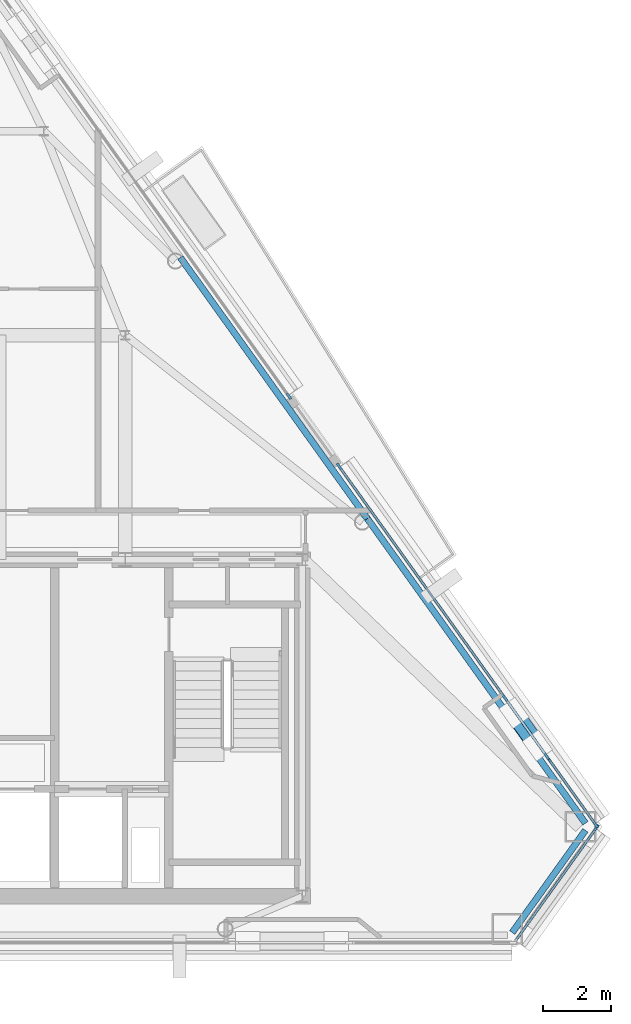
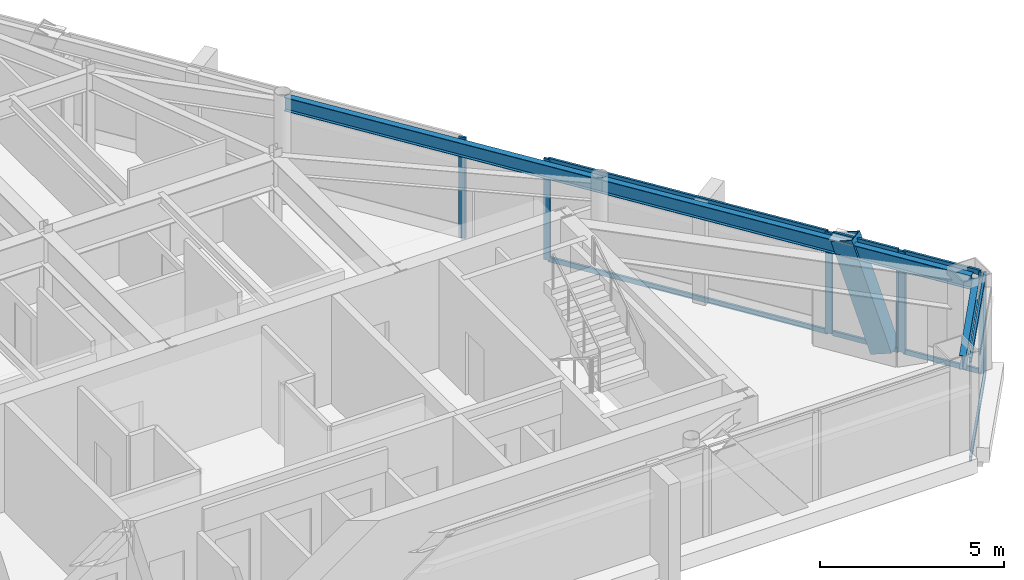
# One storey, part 6 of 12: 16 members, 3 beams, 5 elements without a shape of their own.
"""IFC4 building model written with IfcOpenShell, lengths in metres."""

from ifc_helpers import new_model, si_unit, direction, frame, origin, origin_2d, place, context, subcontext, project, spatial, rectangle, hollow_rectangle, i_section, extrude, material, layer, layer_set, material_profile, profile_set, type_object, element, aggregate, save


model = new_model("IFC4")

# Units and contexts
model_context = context("Model", 3, precision=1e-05, world=origin(), true_north=direction((0.0, 1.0)))
body_context = subcontext(model_context, "Body", "Model", "MODEL_VIEW")
ifc_project = project(units=[si_unit("LENGTHUNIT", "METRE"), si_unit("AREAUNIT", "SQUARE_METRE"), si_unit("VOLUMEUNIT", "CUBIC_METRE"), si_unit("PLANEANGLEUNIT", "RADIAN"), si_unit("MASSUNIT", "GRAM", prefix="KILO")], contexts=[model_context])

# Site, building, storey
site_placement = place(None, origin())
site = spatial("IfcSite", under=ifc_project, at=site_placement, CompositionType="ELEMENT")
building_placement = place(site_placement, origin())
building = spatial("IfcBuilding", under=site, at=building_placement, Name="Talgorran Terracotta Tower", CompositionType="ELEMENT")
storey_placement = place(building_placement, frame((0.0, 0.0, 249.0)))
storey = spatial("IfcBuildingStorey", under=building, at=storey_placement, Name="L65", CompositionType="ELEMENT", Elevation=249.0)

# Beams
ifc_material_1 = material(Name="Steel S355 (300PLUS)", Category="steel")
ifc_material_profile_1 = material_profile(ifc_material_1, i_section(OverallWidth=0.18994140625, OverallDepth=0.45703125, WebThickness=0.009033203125, FlangeThickness=0.014404296875, at=origin_2d()), Name="460UB74.6")
ifc_profile_set_1 = profile_set([ifc_material_profile_1], Name="Steel S355 (300PLUS)")
beam_type = type_object("IfcBeamType", Name="BM_SP_460UB74", PredefinedType="SPANDREL", material=ifc_profile_set_1)
beam_1_placement = place(storey_placement, frame((18.578369140625, -15.168212890625, 3.116455078125), z_axis=(0.582224487769, 0.813028071989, 0.0), x_axis=(-0.813028071989, 0.582224487769, 0.0)))
element("IfcBeam", 1, at=beam_1_placement, inside=storey, type_object=beam_type, Name="L65 Perimeter Spandrel Beam MC3-MC4", PredefinedType="SPANDREL", context=body_context, shape_type="SweptSolid", body=[
    extrude(i_section(OverallWidth=0.18994140625, OverallDepth=0.45703125, WebThickness=0.009033203125, FlangeThickness=0.014404296875, at=origin_2d()), origin(), (0.0, 0.0, 1.0), 3.697998046875),
])
beam_2_placement = place(storey_placement, frame((20.7314453125, -11.951904296875, 3.116455078125), z_axis=(-0.58220828918, 0.813039671855, 0.0), x_axis=(-0.813039671855, -0.58220828918, 0.0)))
element("IfcBeam", 2, at=beam_2_placement, inside=storey, type_object=beam_type, Name="L65 Perimeter Spandrel Beam MC4-FC3", PredefinedType="SPANDREL", context=body_context, shape_type="SweptSolid", body=[
    extrude(i_section(OverallWidth=0.18994140625, OverallDepth=0.45703125, WebThickness=0.009033203125, FlangeThickness=0.014404296875, at=origin_2d()), origin(), (0.0, 0.0, 1.0), 11.017578125),
])
beam_3_placement = place(storey_placement, frame((14.31689453125, -2.994140625, 3.116455078125), z_axis=(-0.582203768418, 0.813042909102, 0.0), x_axis=(-0.813042909102, -0.582203768418, 0.0)))
element("IfcBeam", 3, at=beam_3_placement, inside=storey, type_object=beam_type, Name="L65 Perimeter Spandrel Beam FC3-FC4", PredefinedType="SPANDREL", context=body_context, shape_type="SweptSolid", body=[
    extrude(i_section(OverallWidth=0.18994140625, OverallDepth=0.45703125, WebThickness=0.009033203125, FlangeThickness=0.014404296875, at=origin_2d()), origin(), (0.0, 0.0, 1.0), 9.443603515625),
])

# Member
ifc_material_2 = material(Name="Steel Grade 350 (350L0)", Category="steel")
ifc_material_profile_2 = material_profile(ifc_material_2, hollow_rectangle(XDim=0.52001953125, YDim=0.659912109375, WallThickness=0.034912109375, at=origin_2d()), Name="WBOX660X520X35")
ifc_profile_set_2 = profile_set([ifc_material_profile_2], Name="Steel Grade 350 (350L0)")
member_type_1 = type_object("IfcMemberType", Name="MB_MEGA_660", PredefinedType="BRACE", material=ifc_profile_set_2)
member_1_placement = place(storey_placement, frame((19.318115234375, -9.6689453125, -0.02490234375), z_axis=(-0.191261638386, 0.267127849351, 0.944490178765), x_axis=(-0.813076438764, -0.582156941663, 0.0)))
element("IfcMember", 4, at=member_1_placement, inside=storey, type_object=member_type_1, Name="L65 Exterior Face Mega-Brace MB-3 (NEL)", PredefinedType="BRACE", context=body_context, shape_type="SweptSolid", body=[
    extrude(hollow_rectangle(XDim=0.52001953125, YDim=0.659912109375, WallThickness=0.034912109375, at=origin_2d()), origin(), (0.0, 0.0, 1.0), 3.594482421875),
])

# Curtain wall, member
ifc_material_3 = material(Name="High-Wind Unitised Glazing", Category="glass")
ifc_layer = layer(ifc_material_3, 0.2099609375, Name="CW_SYS3_RES_HIGH")
ifc_layer_set = layer_set([ifc_layer], Name="High-Wind Unitised Glazing")
curtain_wall_type = type_object("IfcCurtainWallType", Name="CW_SYS3_RES_HIGH", PredefinedType="NOTDEFINED", material=ifc_layer_set)
curtain_wall_1_placement = place(storey_placement, origin())
curtain_wall_1 = element("IfcCurtainWall", 5, at=curtain_wall_1_placement, inside=storey, type_object=curtain_wall_type, Name="CW-L65-F2", PredefinedType="NOTDEFINED")
ifc_material_4 = material(Name="Architectural Aluminium 6063-T6", Category="aluminium")
ifc_material_profile_3 = material_profile(ifc_material_4, rectangle(XDim=0.070068359375, YDim=0.199951171875, at=origin_2d()), Name="CWM70X200")
ifc_profile_set_3 = profile_set([ifc_material_profile_3], Name="Architectural Aluminium 6063-T6")
member_type_2 = type_object("IfcMemberType", Name="MUL_70X200", PredefinedType="MULLION", material=ifc_profile_set_3)
member_2_placement = place(storey_placement, frame((21.056640625, -12.085205078125, 0.0), z_axis=(0.0, 0.0, 1.0), x_axis=(-0.813031401137, 0.582219838862, 0.0)))
member_2 = element("IfcMember", 6, at=member_2_placement, type_object=member_type_2, Name="CW-L65-2 mullion 2", PredefinedType="MULLION", context=body_context, shape_type="SweptSolid", body=[
    extrude(rectangle(XDim=0.070068359375, YDim=0.199951171875, at=origin_2d()), origin(), (0.0, 0.0, 1.0), 3.344970703125),
])

# Curtain wall, members
curtain_wall_2_placement = place(storey_placement, origin())
curtain_wall_2 = element("IfcCurtainWall", 7, at=curtain_wall_2_placement, inside=storey, type_object=curtain_wall_type, Name="CW-L65-F40", PredefinedType="NOTDEFINED")
member_3_placement = place(storey_placement, frame((21.033447265625, -11.995849609375, 0.0), z_axis=(0.0, 0.0, 1.0), x_axis=(-0.813032113235, -0.582218844464, 0.0)))
member_3 = element("IfcMember", 8, at=member_3_placement, type_object=member_type_2, Name="CW-L65-40 mullion 1", PredefinedType="MULLION", context=body_context, shape_type="SweptSolid", body=[
    extrude(rectangle(XDim=0.070068359375, YDim=0.199951171875, at=origin_2d()), origin(), (0.0, 0.0, 1.0), 3.344970703125),
])
member_4_placement = place(storey_placement, frame((19.642578125, -10.0537109375, 0.0), z_axis=(0.0, 0.0, 1.0), x_axis=(-0.813032113235, -0.582218844464, 0.0)))
member_4 = element("IfcMember", 9, at=member_4_placement, type_object=member_type_2, Name="CW-L65-40 mullion 2", PredefinedType="MULLION", context=body_context, shape_type="SweptSolid", body=[
    extrude(rectangle(XDim=0.070068359375, YDim=0.199951171875, at=origin_2d()), origin(), (0.0, 0.0, 1.0), 3.344970703125),
])

# Curtain wall, member
curtain_wall_3_placement = place(storey_placement, origin())
curtain_wall_3 = element("IfcCurtainWall", 10, at=curtain_wall_3_placement, inside=storey, type_object=curtain_wall_type, Name="CW-L65-F40B", PredefinedType="NOTDEFINED")
member_5_placement = place(storey_placement, frame((19.59619140625, -9.988525390625, 0.0), z_axis=(0.0, 0.0, 1.0), x_axis=(-0.813045764946, -0.582199780234, 0.0)))
member_5 = element("IfcMember", 11, at=member_5_placement, type_object=member_type_2, Name="CW-L65-40B mullion 1", PredefinedType="MULLION", context=body_context, shape_type="SweptSolid", body=[
    extrude(rectangle(XDim=0.070068359375, YDim=0.199951171875, at=origin_2d()), origin(), (0.0, 0.0, 1.0), 3.344970703125),
])

# Curtain wall, members
curtain_wall_4_placement = place(storey_placement, origin())
curtain_wall_4 = element("IfcCurtainWall", 12, at=curtain_wall_4_placement, inside=storey, type_object=curtain_wall_type, Name="CW-L65-F40C", PredefinedType="NOTDEFINED")
member_6_placement = place(storey_placement, frame((18.370849609375, -8.277587890625, 0.0), z_axis=(0.0, 0.0, 1.0), x_axis=(-0.813040675402, -0.582206887748, 0.0)))
member_6 = element("IfcMember", 13, at=member_6_placement, type_object=member_type_2, Name="CW-L65-40C mullion 1", PredefinedType="MULLION", context=body_context, shape_type="SweptSolid", body=[
    extrude(rectangle(XDim=0.070068359375, YDim=0.199951171875, at=origin_2d()), origin(), (0.0, 0.0, 1.0), 3.344970703125),
])
member_7_placement = place(storey_placement, frame((13.484619140625, -1.453857421875, 0.0), z_axis=(0.0, 0.0, 1.0), x_axis=(-0.813040675402, -0.582206887748, 0.0)))
member_7 = element("IfcMember", 14, at=member_7_placement, type_object=member_type_2, Name="CW-L65-40C mullion 2", PredefinedType="MULLION", context=body_context, shape_type="SweptSolid", body=[
    extrude(rectangle(XDim=0.070068359375, YDim=0.199951171875, at=origin_2d()), origin(), (0.0, 0.0, 1.0), 3.344970703125),
])

# Curtain wall, member
curtain_wall_5_placement = place(storey_placement, origin())
curtain_wall_5 = element("IfcCurtainWall", 15, at=curtain_wall_5_placement, inside=storey, type_object=curtain_wall_type, Name="CW-L65-F41", PredefinedType="NOTDEFINED")
member_8_placement = place(storey_placement, frame((12.011474609375, 0.603271484375, 0.0), z_axis=(0.0, 0.0, 1.0), x_axis=(-0.813042343153, -0.582204558759, 0.0)))
member_8 = element("IfcMember", 16, at=member_8_placement, type_object=member_type_2, Name="CW-L65-41 mullion 1", PredefinedType="MULLION", context=body_context, shape_type="SweptSolid", body=[
    extrude(rectangle(XDim=0.070068359375, YDim=0.199951171875, at=origin_2d()), origin(), (0.0, 0.0, 1.0), 3.344970703125),
])
aggregate(curtain_wall_5, [member_8])

# Member
ifc_material_profile_4 = material_profile(ifc_material_4, rectangle(XDim=0.070068359375, YDim=0.159912109375, at=origin_2d()), Name="CWT70X160")
ifc_profile_set_4 = profile_set([ifc_material_profile_4], Name="Architectural Aluminium 6063-T6")
member_type_3 = type_object("IfcMemberType", Name="TRN_70X160", PredefinedType="USERDEFINED", material=ifc_profile_set_4)
member_9_placement = place(storey_placement, frame((18.678466796875, -15.406494140625, 0.034912109375), z_axis=(0.582184359595, 0.813056807021, 0.0), x_axis=(-0.813056807021, 0.582184359595, 0.0)))
member_9 = element("IfcMember", 17, at=member_9_placement, type_object=member_type_3, Name="CW-L65-2 transom 1.1", ObjectType="TRANSOM", PredefinedType="USERDEFINED", context=body_context, shape_type="SweptSolid", body=[
    extrude(rectangle(XDim=0.070068359375, YDim=0.159912109375, at=origin_2d()), origin(), (0.0, 0.0, 1.0), 4.050048828125),
])

member_10_placement = place(storey_placement, frame((18.678466796875, -15.406494140625, 3.31005859375), z_axis=(0.582184359595, 0.813056807021, 0.0), x_axis=(-0.813056807021, 0.582184359595, 0.0)))
member_10 = element("IfcMember", 18, at=member_10_placement, type_object=member_type_3, Name="CW-L65-2 transom 1.2", ObjectType="TRANSOM", PredefinedType="USERDEFINED", context=body_context, shape_type="SweptSolid", body=[
    extrude(rectangle(XDim=0.070068359375, YDim=0.159912109375, at=origin_2d()), origin(), (0.0, 0.0, 1.0), 4.050048828125),
])

aggregate(curtain_wall_1, [member_2, member_9, member_10])

member_11_placement = place(storey_placement, frame((21.012939453125, -11.96728515625, 0.034912109375), z_axis=(-0.582164109552, 0.813071306559, 0.0), x_axis=(-0.813071306559, -0.582164109552, 0.0)))
member_11 = element("IfcMember", 19, at=member_11_placement, type_object=member_type_3, Name="CW-L65-40 transom 1.1", ObjectType="TRANSOM", PredefinedType="USERDEFINED", context=body_context, shape_type="SweptSolid", body=[
    extrude(rectangle(XDim=0.070068359375, YDim=0.159912109375, at=origin_2d()), origin(), (0.0, 0.0, 1.0), 2.318603515625),
])

member_12_placement = place(storey_placement, frame((21.012939453125, -11.96728515625, 3.31005859375), z_axis=(-0.582164109552, 0.813071306559, 0.0), x_axis=(-0.813071306559, -0.582164109552, 0.0)))
member_12 = element("IfcMember", 20, at=member_12_placement, type_object=member_type_3, Name="CW-L65-40 transom 1.2", ObjectType="TRANSOM", PredefinedType="USERDEFINED", context=body_context, shape_type="SweptSolid", body=[
    extrude(rectangle(XDim=0.070068359375, YDim=0.159912109375, at=origin_2d()), origin(), (0.0, 0.0, 1.0), 2.318603515625),
])

aggregate(curtain_wall_2, [member_3, member_4, member_11, member_12])

member_13_placement = place(storey_placement, frame((19.57568359375, -9.960205078125, 0.034912109375), z_axis=(-0.582206680135, 0.813040824071, 0.0), x_axis=(-0.813040824071, -0.582206680135, 0.0)))
member_13 = element("IfcMember", 21, at=member_13_placement, type_object=member_type_3, Name="CW-L65-40B transom 1.1", ObjectType="TRANSOM", PredefinedType="USERDEFINED", context=body_context, shape_type="SweptSolid", body=[
    extrude(rectangle(XDim=0.070068359375, YDim=0.159912109375, at=origin_2d()), origin(), (0.0, 0.0, 1.0), 1.95458984375),
])

member_14_placement = place(storey_placement, frame((19.57568359375, -9.960205078125, 3.31005859375), z_axis=(-0.582206680135, 0.813040824071, 0.0), x_axis=(-0.813040824071, -0.582206680135, 0.0)))
member_14 = element("IfcMember", 22, at=member_14_placement, type_object=member_type_3, Name="CW-L65-40B transom 1.2", ObjectType="TRANSOM", PredefinedType="USERDEFINED", context=body_context, shape_type="SweptSolid", body=[
    extrude(rectangle(XDim=0.070068359375, YDim=0.159912109375, at=origin_2d()), origin(), (0.0, 0.0, 1.0), 1.95458984375),
])

aggregate(curtain_wall_3, [member_5, member_13, member_14])

member_15_placement = place(storey_placement, frame((18.3505859375, -8.2490234375, 0.034912109375), z_axis=(-0.582225615132, 0.813027264662, 0.0), x_axis=(-0.813027264662, -0.582225615132, 0.0)))
member_15 = element("IfcMember", 23, at=member_15_placement, type_object=member_type_3, Name="CW-L65-40C transom 1.1", ObjectType="TRANSOM", PredefinedType="USERDEFINED", context=body_context, shape_type="SweptSolid", body=[
    extrude(rectangle(XDim=0.070068359375, YDim=0.159912109375, at=origin_2d()), origin(), (0.0, 0.0, 1.0), 8.32275390625),
])

member_16_placement = place(storey_placement, frame((18.3505859375, -8.2490234375, 3.31005859375), z_axis=(-0.582225615132, 0.813027264662, 0.0), x_axis=(-0.813027264662, -0.582225615132, 0.0)))
member_16 = element("IfcMember", 24, at=member_16_placement, type_object=member_type_3, Name="CW-L65-40C transom 1.2", ObjectType="TRANSOM", PredefinedType="USERDEFINED", context=body_context, shape_type="SweptSolid", body=[
    extrude(rectangle(XDim=0.070068359375, YDim=0.159912109375, at=origin_2d()), origin(), (0.0, 0.0, 1.0), 8.32275390625),
])

aggregate(curtain_wall_4, [member_6, member_7, member_15, member_16])

save(model, "model.ifc")
